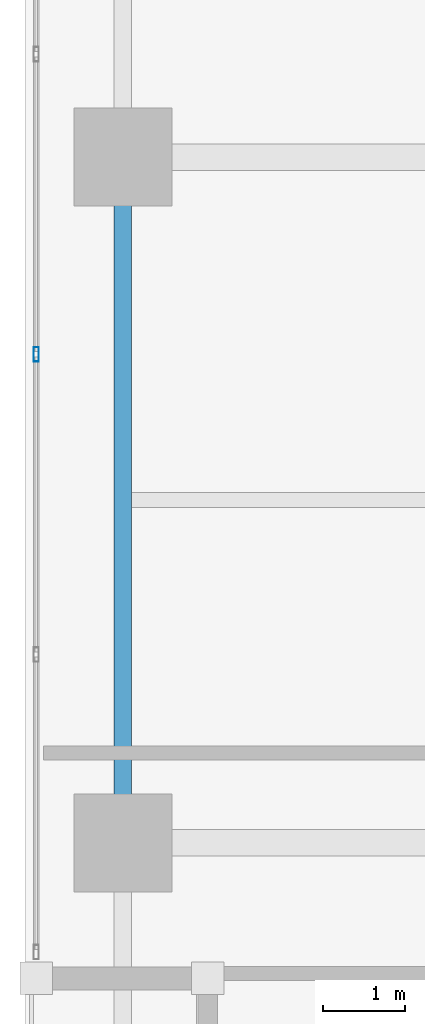
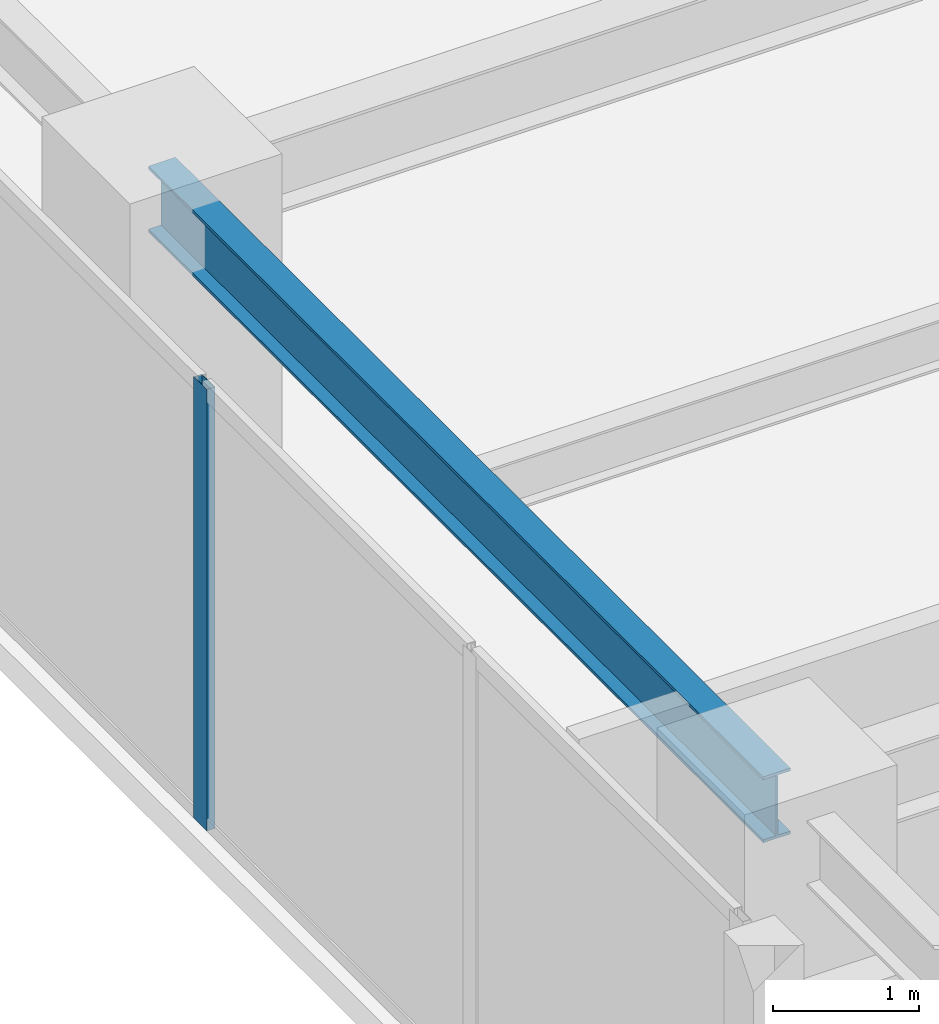
# One storey, part 5 of 30: 1 beam, 1 member, 1 element without a shape of its own.
"""IFC4 building model written with IfcOpenShell, lengths in metres."""

import ifcopenshell
import ifcopenshell.guid

model = None  # the IFC model being written
_history = None  # IfcOwnerHistory: only IFC2X3 demands one
_inside = {}  # id of a spatial element -> (the spatial element, [elements in it])
_under = {}  # id of a project, library or spatial element -> (it, [spatial elements below it])
_declared = {}  # id of a project -> (the project, [libraries it declares])
_typed = {}  # id of a type object -> (the type object, [elements of that type])
_made_of = {}  # id of a material, layer set ... -> (it, [elements and type objects made of it])


def new_model(schema):
    """Start an empty IFC model of exactly this schema.

    Asked for "IFC4X3", IfcOpenShell would pick the latest addendum, in which some entities
    have other attributes; the version numbers below select the first issue.
    IFC2X3 requires an IfcOwnerHistory on every rooted entity: one is made here for all.
    """
    global model, _history
    if schema == "IFC4X3":
        model = ifcopenshell.file(schema_version=(4, 3, 0, 0))
    else:
        model = ifcopenshell.file(schema=schema)
    _inside.clear()
    _under.clear()
    _declared.clear()
    _typed.clear()
    _made_of.clear()
    _history = None
    if model.schema == "IFC2X3":
        org = make("IfcOrganization", Name="unknown")
        user = make(
            "IfcPersonAndOrganization",
            ThePerson=make("IfcPerson", FamilyName="unknown"),
            TheOrganization=org,
        )
        app = make(
            "IfcApplication",
            ApplicationDeveloper=org,
            Version="unknown",
            ApplicationFullName="unknown",
            ApplicationIdentifier="unknown",
        )
        _history = make(
            "IfcOwnerHistory",
            OwningUser=user,
            OwningApplication=app,
            ChangeAction="ADDED",
            CreationDate=0,
        )
    return model


def make(cls, **values):
    """One entity of the class cls with the attributes given. An attribute that is None is left unset."""
    return model.create_entity(
        cls, **{name: value for name, value in values.items() if value is not None}
    )


def rooted(cls, **values):
    """An entity with a GlobalId (a new one), such as an element, a storey or a relation."""
    return make(cls, GlobalId=ifcopenshell.guid.new(), OwnerHistory=_history, **values)


def si_unit(unit_type, name, prefix=None):
    """IfcSIUnit, for example si_unit("LENGTHUNIT", "METRE", prefix="MILLI")."""
    return make("IfcSIUnit", UnitType=unit_type, Prefix=prefix, Name=name)


def assignment(units):
    """IfcUnitAssignment: the units of a project."""
    return None if units is None else make("IfcUnitAssignment", Units=units)


def point(xyz):
    """IfcCartesianPoint."""
    return None if xyz is None else make("IfcCartesianPoint", Coordinates=xyz)


def direction(xyz):
    """IfcDirection."""
    return None if xyz is None else make("IfcDirection", DirectionRatios=xyz)


def frame(location, z_axis=None, x_axis=None):
    """IfcAxis2Placement3D, a coordinate frame: its origin and axes. An axis left out is left unset."""
    return make(
        "IfcAxis2Placement3D",
        Location=point(location),
        Axis=direction(z_axis),
        RefDirection=direction(x_axis),
    )


def frame_2d(location, x_axis=None):
    """IfcAxis2Placement2D, a coordinate frame in the plane: its origin and x axis."""
    return make(
        "IfcAxis2Placement2D", Location=point(location), RefDirection=direction(x_axis)
    )


def origin():
    """The frame at (0, 0, 0) with its axes left unset."""
    return frame((0.0, 0.0, 0.0))


def origin_2d():
    """The frame at (0, 0) in the plane with its x axis left unset."""
    return frame_2d((0.0, 0.0))


def place(relative_to, where):
    """IfcLocalPlacement: puts the frame where relative to a parent placement (None: the world)."""
    return make(
        "IfcLocalPlacement", PlacementRelTo=relative_to, RelativePlacement=where
    )


def context(
    kind, dimensions, precision=None, world=None, true_north=None, identifier=None
):
    """IfcGeometricRepresentationContext, for example the 3D "Model" context."""
    return make(
        "IfcGeometricRepresentationContext",
        ContextIdentifier=identifier,
        ContextType=kind,
        CoordinateSpaceDimension=dimensions,
        Precision=precision,
        WorldCoordinateSystem=world,
        TrueNorth=true_north,
    )


def subcontext(parent, identifier, kind, view, scale=None):
    """IfcGeometricRepresentationSubContext, for example "Body" below "Model"."""
    return make(
        "IfcGeometricRepresentationSubContext",
        ContextIdentifier=identifier,
        ContextType=kind,
        ParentContext=parent,
        TargetScale=scale,
        TargetView=view,
    )


def project(units=None, contexts=None):
    """IfcProject with its units and contexts."""
    return rooted(
        "IfcProject",
        Name="project",
        RepresentationContexts=contexts,
        UnitsInContext=assignment(units),
    )


def spatial(cls, under=None, at=None, **own):
    """A site, building, storey or space (cls), placed at a placement, below another one or the project."""
    s = rooted(cls, ObjectPlacement=at, **own)
    if under is not None:
        _under.setdefault(under.id(), (under, []))[1].append(s)
    return s


def profile(cls, at=None, kind="AREA", **sizes):
    """A parametric profile (cls). Its sizes go by their IFC names, for example OverallWidth=200.0."""
    return make(cls, ProfileType=kind, Position=at, **sizes)


def hollow_rectangle(**sizes):
    """IfcRectangleHollowProfileDef."""
    return profile("IfcRectangleHollowProfileDef", **sizes)


def i_section(**sizes):
    """IfcIShapeProfileDef."""
    return profile("IfcIShapeProfileDef", **sizes)


def extrude(swept, where, along, depth):
    """IfcExtrudedAreaSolid: the profile swept, set in the frame where, extruded along a direction by depth."""
    return make(
        "IfcExtrudedAreaSolid",
        SweptArea=swept,
        Position=where,
        ExtrudedDirection=direction(along),
        Depth=depth,
    )


def shape(context_of_items, identifier, shape_type, items):
    """IfcShapeRepresentation: the items that make up one representation, for example the "Body"."""
    return make(
        "IfcShapeRepresentation",
        ContextOfItems=context_of_items,
        RepresentationIdentifier=identifier,
        RepresentationType=shape_type,
        Items=items,
    )


def material(Name=None, Category=None):
    """IfcMaterial."""
    return make("IfcMaterial", Name=Name, Category=Category)


def layer(
    of_material, thickness, ventilated=None, Name=None, Category=None, Priority=None
):
    """IfcMaterialLayer: one layer of a wall or slab, of a material (None: an air gap)."""
    return make(
        "IfcMaterialLayer",
        Material=of_material,
        LayerThickness=thickness,
        IsVentilated=ventilated,
        Name=Name,
        Category=Category,
        Priority=Priority,
    )


def layer_set(layers, Name=None):
    """IfcMaterialLayerSet."""
    return make("IfcMaterialLayerSet", MaterialLayers=layers, LayerSetName=Name)


def material_profile(
    of_material, cross_section, Name=None, Category=None, Priority=None
):
    """IfcMaterialProfile: a cross section and its material."""
    return make(
        "IfcMaterialProfile",
        Name=Name,
        Material=of_material,
        Profile=cross_section,
        Priority=Priority,
        Category=Category,
    )


def profile_set(profiles, Name=None, composite=None):
    """IfcMaterialProfileSet."""
    return make(
        "IfcMaterialProfileSet",
        Name=Name,
        MaterialProfiles=profiles,
        CompositeProfile=composite,
    )


def made_of(thing, what):
    """Note that an element or type object is made of a material, layer set ...; save() writes the relation."""
    if what is not None:
        _made_of.setdefault(what.id(), (what, []))[1].append(thing)
    return thing


def type_object(cls, material=None, **own):
    """A type object (cls), such as IfcWallType, which elements share."""
    return made_of(rooted(cls, **own), material)


def element(
    cls,
    number,
    at=None,
    inside=None,
    cuts=None,
    type_object=None,
    material=None,
    context=None,
    identifier="Body",
    shape_type=None,
    held_by="IfcProductDefinitionShape",
    body=None,
    shapes=None,
    **own,
):
    """One element of the class cls, such as IfcWall. Its Tag is "e" and its number.

    at: its placement. inside: the storey or other place that contains it. cuts: it is an
    opening in that element (IfcRelVoidsElement). A single representation is given by context,
    identifier, shape_type and body (its items); several are given by shapes. held_by: the class
    of the entity that holds the representations. save() writes the other relations.
    """
    e = rooted(cls, Tag="e%d" % number, ObjectPlacement=at, **own)
    if body is not None:
        shapes = [shape(context, identifier, shape_type, body)]
    if shapes is not None:
        e.Representation = make(held_by, Representations=shapes)
    if inside is not None:
        _inside.setdefault(inside.id(), (inside, []))[1].append(e)
    if cuts is not None:
        rooted(
            "IfcRelVoidsElement", RelatingBuildingElement=cuts, RelatedOpeningElement=e
        )
    if type_object is not None:
        _typed.setdefault(type_object.id(), (type_object, []))[1].append(e)
    return made_of(e, material)


def aggregate(whole, parts):
    """IfcRelAggregates: a whole, such as a stair, and the parts it consists of."""
    return rooted("IfcRelAggregates", RelatingObject=whole, RelatedObjects=parts)


def save(model, path):
    """Write the relations noted so far, then the file.

    IfcRelAggregates (storeys below a building ...), IfcRelContainedInSpatialStructure (elements
    in a storey), IfcRelDefinesByType, IfcRelAssociatesMaterial and IfcRelDeclares: one each for
    every whole, place, type object, material and project.
    """
    for whole, parts in _under.values():
        aggregate(whole, parts)
    for where, things in _inside.values():
        rooted(
            "IfcRelContainedInSpatialStructure",
            RelatedElements=things,
            RelatingStructure=where,
        )
    for kind, things in _typed.values():
        rooted("IfcRelDefinesByType", RelatedObjects=things, RelatingType=kind)
    for what, things in _made_of.values():
        rooted("IfcRelAssociatesMaterial", RelatedObjects=things, RelatingMaterial=what)
    for by, libraries in _declared.values():
        rooted("IfcRelDeclares", RelatingContext=by, RelatedDefinitions=libraries)
    model.write(path)


model = new_model("IFC4")

# Units and contexts
model_context = context("Model", 3, precision=1e-05, world=origin(), true_north=direction((0.0, 1.0)))
body_context = subcontext(model_context, "Body", "Model", "MODEL_VIEW")
ifc_project = project(units=[si_unit("LENGTHUNIT", "METRE"), si_unit("AREAUNIT", "SQUARE_METRE"), si_unit("VOLUMEUNIT", "CUBIC_METRE"), si_unit("PLANEANGLEUNIT", "RADIAN"), si_unit("MASSUNIT", "GRAM", prefix="KILO")], contexts=[model_context])

# Site, building, storey
site_placement = place(None, origin())
site = spatial("IfcSite", under=ifc_project, at=site_placement, CompositionType="ELEMENT")
building_placement = place(site_placement, origin())
building = spatial("IfcBuilding", under=site, at=building_placement, Name="Kiyonajd Concourse Tower", CompositionType="ELEMENT")
storey_placement = place(building_placement, frame((0.0, 0.0, 162.300048828125)))
storey = spatial("IfcBuildingStorey", under=building, at=storey_placement, Name="L41", CompositionType="ELEMENT", Elevation=162.300048828125)

# Beam
ifc_material_1 = material(Name="Steel ASTM A992 Grade 50", Category="steel")
ifc_material_profile_1 = material_profile(ifc_material_1, i_section(OverallWidth=0.214111328125, OverallDepth=0.549072265625, WebThickness=0.0146484375, FlangeThickness=0.023681640625, at=origin_2d()), Name="W530X138")
ifc_profile_set_1 = profile_set([ifc_material_profile_1], Name="Steel ASTM A992 Grade 50")
beam_type = type_object("IfcBeamType", Name="BM-SPAN-530A", PredefinedType="SPANDREL", material=ifc_profile_set_1)
beam_placement = place(storey_placement, frame((19.199951171875, 44.39990234375, 3.405517578125), z_axis=(0.0, -1.0, 0.0), x_axis=(1.0, 0.0, 0.0)))
element("IfcBeam", 1, at=beam_placement, inside=storey, type_object=beam_type, Name="L41 Perimeter Bundled Tube Spandrel", PredefinedType="SPANDREL", context=body_context, shape_type="SweptSolid", body=[
    extrude(i_section(OverallWidth=0.214111328125, OverallDepth=0.549072265625, WebThickness=0.0146484375, FlangeThickness=0.023681640625, at=origin_2d()), origin(), (0.0, 0.0, 1.0), 8.39990234375),
])

# Curtain wall, member
ifc_material_2 = material(Name="Thermally Broken Anodised Aluminium", Category="aluminium")
ifc_layer = layer(ifc_material_2, 0.179931640625)
ifc_layer_set = layer_set([ifc_layer], Name="Thermally Broken Anodised Aluminium")
curtain_wall_type = type_object("IfcCurtainWallType", Name="CW-SYS-03", PredefinedType="NOTDEFINED", material=ifc_layer_set)
curtain_wall_placement = place(storey_placement, origin())
curtain_wall = element("IfcCurtainWall", 2, at=curtain_wall_placement, inside=storey, type_object=curtain_wall_type, Name="L41 Unitised Curtain Wall CW3", PredefinedType="NOTDEFINED")
ifc_material_profile_2 = material_profile(ifc_material_2, hollow_rectangle(XDim=0.06494140625, YDim=0.179931640625, WallThickness=0.00390625, at=origin_2d()), Name="MULL-65x180")
ifc_profile_set_2 = profile_set([ifc_material_profile_2], Name="Thermally Broken Anodised Aluminium")
member_type = type_object("IfcMemberType", Name="MB-CW-MULL1", PredefinedType="MULLION", material=ifc_profile_set_2)
member_placement = place(storey_placement, frame((18.139892578125, 41.98388671875, 0.0), z_axis=(0.0, 0.0, 1.0), x_axis=(-1.0, 0.0, 0.0)))
member = element("IfcMember", 3, at=member_placement, type_object=member_type, Name="CW3 mullion 3", PredefinedType="MULLION", context=body_context, shape_type="SweptSolid", body=[
    extrude(hollow_rectangle(XDim=0.06494140625, YDim=0.179931640625, WallThickness=0.00390625, at=origin_2d()), origin(), (0.0, 0.0, 1.0), 3.679931640625),
])
aggregate(curtain_wall, [member])

save(model, "model.ifc")
